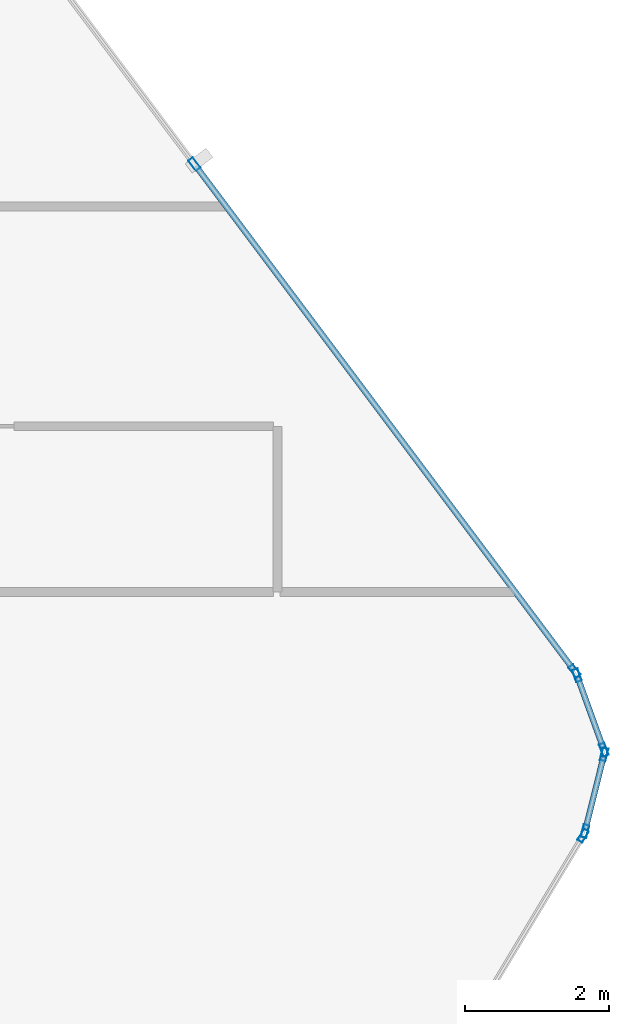
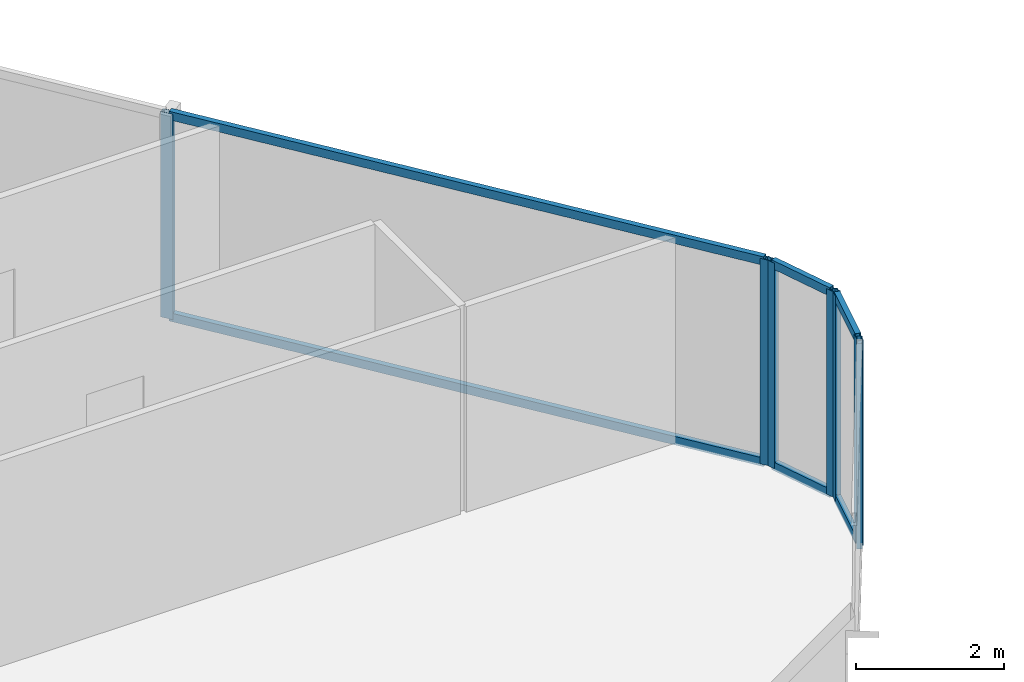
# One storey, part 19 of 31: 13 members, 4 elements without a shape of their own.
"""IFC4 building model written with IfcOpenShell, lengths in metres."""

from ifc_helpers import new_model, si_unit, direction, frame, origin, origin_2d, place, context, subcontext, project, spatial, hollow_rectangle, extrude, material, layer, layer_set, material_profile, profile_set, type_object, element, aggregate, save


model = new_model("IFC4")

# Units and contexts
model_context = context("Model", 3, precision=1e-05, world=origin(), true_north=direction((0.0, 1.0)))
body_context = subcontext(model_context, "Body", "Model", "MODEL_VIEW")
ifc_project = project(units=[si_unit("LENGTHUNIT", "METRE"), si_unit("AREAUNIT", "SQUARE_METRE"), si_unit("VOLUMEUNIT", "CUBIC_METRE"), si_unit("PLANEANGLEUNIT", "RADIAN"), si_unit("MASSUNIT", "GRAM", prefix="KILO")], contexts=[model_context])

# Site, building, storey
site_placement = place(None, origin())
site = spatial("IfcSite", under=ifc_project, at=site_placement, CompositionType="ELEMENT")
building_placement = place(site_placement, origin())
building = spatial("IfcBuilding", under=site, at=building_placement, Name="Keshet Zoharim Tower", CompositionType="ELEMENT")
storey_placement = place(building_placement, frame((0.0, 0.0, 133.5)))
storey = spatial("IfcBuildingStorey", under=building, at=storey_placement, Name="L32", CompositionType="ELEMENT", Elevation=133.5)

# Curtain wall, members
ifc_material = material(Name="Aluminium 6063-T6", Category="aluminium")
ifc_layer = layer(ifc_material, 0.159912109375)
ifc_layer_set = layer_set([ifc_layer], Name="Aluminium 6063-T6")
curtain_wall_type = type_object("IfcCurtainWallType", Name="CW-SYS-03", PredefinedType="NOTDEFINED", material=ifc_layer_set)
curtain_wall_1_placement = place(storey_placement, origin())
curtain_wall_1 = element("IfcCurtainWall", 1, at=curtain_wall_1_placement, inside=storey, type_object=curtain_wall_type, Name="L32 Unitised Curtain Wall 15", PredefinedType="NOTDEFINED")
ifc_material_profile_1 = material_profile(ifc_material, hollow_rectangle(XDim=0.080078125, YDim=0.179931640625, WallThickness=0.00439453125, at=origin_2d()), Name="MUL-80x180")
ifc_profile_set_1 = profile_set([ifc_material_profile_1], Name="Aluminium 6063-T6")
member_type_1 = type_object("IfcMemberType", Name="CWM-M18", PredefinedType="MULLION", material=ifc_profile_set_1)
member_1_placement = place(storey_placement, frame((56.896484375, 46.0380859375, 0.0), z_axis=(0.0, 0.0, 1.0), x_axis=(0.799999999998, 0.600000000002, 0.0)))
member_1 = element("IfcMember", 2, at=member_1_placement, type_object=member_type_1, Name="CW-03 mullion 2", PredefinedType="MULLION", context=body_context, shape_type="SweptSolid", body=[
    extrude(hollow_rectangle(XDim=0.080078125, YDim=0.179931640625, WallThickness=0.00439453125, at=origin_2d()), origin(), (0.0, 0.0, 1.0), 3.385009765625),
])
member_2_placement = place(storey_placement, frame((62.172119140625, 39.00390625, 0.0), z_axis=(0.0, 0.0, 1.0), x_axis=(0.799999999998, 0.600000000002, 0.0)))
member_2 = element("IfcMember", 3, at=member_2_placement, type_object=member_type_1, Name="CW-03 mullion 3", PredefinedType="MULLION", context=body_context, shape_type="SweptSolid", body=[
    extrude(hollow_rectangle(XDim=0.080078125, YDim=0.179931640625, WallThickness=0.00439453125, at=origin_2d()), origin(), (0.0, 0.0, 1.0), 3.385009765625),
])

curtain_wall_2_placement = place(storey_placement, origin())
curtain_wall_2 = element("IfcCurtainWall", 4, at=curtain_wall_2_placement, inside=storey, type_object=curtain_wall_type, Name="L32 Unitised Curtain Wall 16", PredefinedType="NOTDEFINED")
member_3_placement = place(storey_placement, frame((62.204833984375, 38.943115234375, 0.0), z_axis=(0.0, 0.0, 1.0), x_axis=(0.940317877544, 0.340297354046, 0.0)))
member_3 = element("IfcMember", 5, at=member_3_placement, type_object=member_type_1, Name="CW-03 mullion 1", PredefinedType="MULLION", context=body_context, shape_type="SweptSolid", body=[
    extrude(hollow_rectangle(XDim=0.080078125, YDim=0.179931640625, WallThickness=0.00439453125, at=origin_2d()), origin(), (0.0, 0.0, 1.0), 3.385009765625),
])
member_4_placement = place(storey_placement, frame((62.578125, 37.911865234375, 0.0), z_axis=(0.0, 0.0, 1.0), x_axis=(0.940317877544, 0.340297354046, 0.0)))
member_4 = element("IfcMember", 6, at=member_4_placement, type_object=member_type_1, Name="CW-03 mullion 2", PredefinedType="MULLION", context=body_context, shape_type="SweptSolid", body=[
    extrude(hollow_rectangle(XDim=0.080078125, YDim=0.179931640625, WallThickness=0.00439453125, at=origin_2d()), origin(), (0.0, 0.0, 1.0), 3.385009765625),
])

curtain_wall_3_placement = place(storey_placement, origin())
curtain_wall_3 = element("IfcCurtainWall", 7, at=curtain_wall_3_placement, inside=storey, type_object=curtain_wall_type, Name="L32 Unitised Curtain Wall 17", PredefinedType="NOTDEFINED")
member_5_placement = place(storey_placement, frame((62.58154296875, 37.844970703125, 0.0), z_axis=(0.0, 0.0, 1.0), x_axis=(0.970343857447, -0.241728770141, 0.0)))
member_5 = element("IfcMember", 8, at=member_5_placement, type_object=member_type_1, Name="CW-03 mullion 1", PredefinedType="MULLION", context=body_context, shape_type="SweptSolid", body=[
    extrude(hollow_rectangle(XDim=0.080078125, YDim=0.179931640625, WallThickness=0.00439453125, at=origin_2d()), origin(), (0.0, 0.0, 1.0), 3.385009765625),
])
member_6_placement = place(storey_placement, frame((62.31640625, 36.781005859375, 0.0), z_axis=(0.0, 0.0, 1.0), x_axis=(0.970343857447, -0.241728770141, 0.0)))
member_6 = element("IfcMember", 9, at=member_6_placement, type_object=member_type_1, Name="CW-03 mullion 2", PredefinedType="MULLION", context=body_context, shape_type="SweptSolid", body=[
    extrude(hollow_rectangle(XDim=0.080078125, YDim=0.179931640625, WallThickness=0.00439453125, at=origin_2d()), origin(), (0.0, 0.0, 1.0), 3.385009765625),
])

# Curtain wall, member
curtain_wall_4_placement = place(storey_placement, origin())
curtain_wall_4 = element("IfcCurtainWall", 10, at=curtain_wall_4_placement, inside=storey, type_object=curtain_wall_type, Name="L32 Unitised Curtain Wall 18", PredefinedType="NOTDEFINED")
member_7_placement = place(storey_placement, frame((62.2900390625, 36.717041015625, 0.0), z_axis=(0.0, 0.0, 1.0), x_axis=(0.857501477862, -0.514481501576, 0.0)))
member_7 = element("IfcMember", 11, at=member_7_placement, type_object=member_type_1, Name="CW-03 mullion 1", PredefinedType="MULLION", context=body_context, shape_type="SweptSolid", body=[
    extrude(hollow_rectangle(XDim=0.080078125, YDim=0.179931640625, WallThickness=0.00439453125, at=origin_2d()), origin(), (0.0, 0.0, 1.0), 3.385009765625),
])
aggregate(curtain_wall_4, [member_7])

# Member
ifc_material_profile_2 = material_profile(ifc_material, hollow_rectangle(XDim=0.080078125, YDim=0.139892578125, WallThickness=0.00390625, at=origin_2d()), Name="TRN-80x140")
ifc_profile_set_2 = profile_set([ifc_material_profile_2], Name="Aluminium 6063-T6")
member_type_2 = type_object("IfcMemberType", Name="CWT-T14", PredefinedType="USERDEFINED", material=ifc_profile_set_2)
member_8_placement = place(storey_placement, frame((56.91748046875, 46.010009765625, 0.034912109375), z_axis=(0.599991043201, -0.800006717521, 0.0), x_axis=(0.800006717521, 0.599991043201, 0.0)))
member_8 = element("IfcMember", 12, at=member_8_placement, type_object=member_type_2, Name="CW-03 transom 2.1", ObjectType="TRANSOM", PredefinedType="USERDEFINED", context=body_context, shape_type="SweptSolid", body=[
    extrude(hollow_rectangle(XDim=0.080078125, YDim=0.139892578125, WallThickness=0.00390625, at=origin_2d()), origin(), (0.0, 0.0, 1.0), 8.722412109375),
])

member_9_placement = place(storey_placement, frame((56.91748046875, 46.010009765625, 3.35009765625), z_axis=(0.599991043201, -0.800006717521, 0.0), x_axis=(0.800006717521, 0.599991043201, 0.0)))
member_9 = element("IfcMember", 13, at=member_9_placement, type_object=member_type_2, Name="CW-03 transom 2.2", ObjectType="TRANSOM", PredefinedType="USERDEFINED", context=body_context, shape_type="SweptSolid", body=[
    extrude(hollow_rectangle(XDim=0.080078125, YDim=0.139892578125, WallThickness=0.00390625, at=origin_2d()), origin(), (0.0, 0.0, 1.0), 8.722412109375),
])

aggregate(curtain_wall_1, [member_1, member_2, member_8, member_9])

member_10_placement = place(storey_placement, frame((62.216796875, 38.91015625, 0.034912109375), z_axis=(0.340310579984, -0.940313091024, 0.0), x_axis=(0.940313091024, 0.340310579984, 0.0)))
member_10 = element("IfcMember", 14, at=member_10_placement, type_object=member_type_2, Name="CW-03 transom 1.1", ObjectType="TRANSOM", PredefinedType="USERDEFINED", context=body_context, shape_type="SweptSolid", body=[
    extrude(hollow_rectangle(XDim=0.080078125, YDim=0.139892578125, WallThickness=0.00390625, at=origin_2d()), origin(), (0.0, 0.0, 1.0), 1.026611328125),
])

member_11_placement = place(storey_placement, frame((62.216796875, 38.91015625, 3.35009765625), z_axis=(0.340310579984, -0.940313091024, 0.0), x_axis=(0.940313091024, 0.340310579984, 0.0)))
member_11 = element("IfcMember", 15, at=member_11_placement, type_object=member_type_2, Name="CW-03 transom 1.2", ObjectType="TRANSOM", PredefinedType="USERDEFINED", context=body_context, shape_type="SweptSolid", body=[
    extrude(hollow_rectangle(XDim=0.080078125, YDim=0.139892578125, WallThickness=0.00390625, at=origin_2d()), origin(), (0.0, 0.0, 1.0), 1.026611328125),
])

aggregate(curtain_wall_2, [member_3, member_4, member_10, member_11])

member_12_placement = place(storey_placement, frame((62.572998046875, 37.81103515625, 0.034912109375), z_axis=(-0.241640143717, -0.970365931463, 0.0), x_axis=(0.970365931463, -0.241640143717, 0.0)))
member_12 = element("IfcMember", 16, at=member_12_placement, type_object=member_type_2, Name="CW-03 transom 1.1", ObjectType="TRANSOM", PredefinedType="USERDEFINED", context=body_context, shape_type="SweptSolid", body=[
    extrude(hollow_rectangle(XDim=0.080078125, YDim=0.139892578125, WallThickness=0.00390625, at=origin_2d()), origin(), (0.0, 0.0, 1.0), 1.026611328125),
])

member_13_placement = place(storey_placement, frame((62.572998046875, 37.81103515625, 3.35009765625), z_axis=(-0.241640143717, -0.970365931463, 0.0), x_axis=(0.970365931463, -0.241640143717, 0.0)))
member_13 = element("IfcMember", 17, at=member_13_placement, type_object=member_type_2, Name="CW-03 transom 1.2", ObjectType="TRANSOM", PredefinedType="USERDEFINED", context=body_context, shape_type="SweptSolid", body=[
    extrude(hollow_rectangle(XDim=0.080078125, YDim=0.139892578125, WallThickness=0.00390625, at=origin_2d()), origin(), (0.0, 0.0, 1.0), 1.026611328125),
])

aggregate(curtain_wall_3, [member_5, member_6, member_12, member_13])

save(model, "model.ifc")
